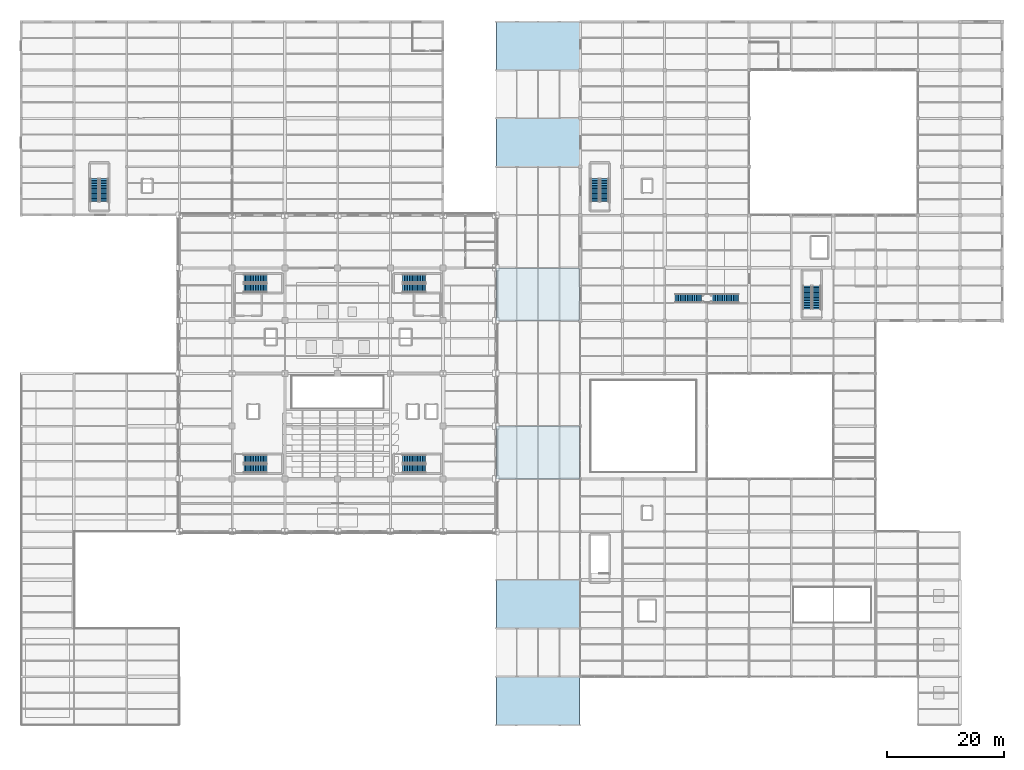
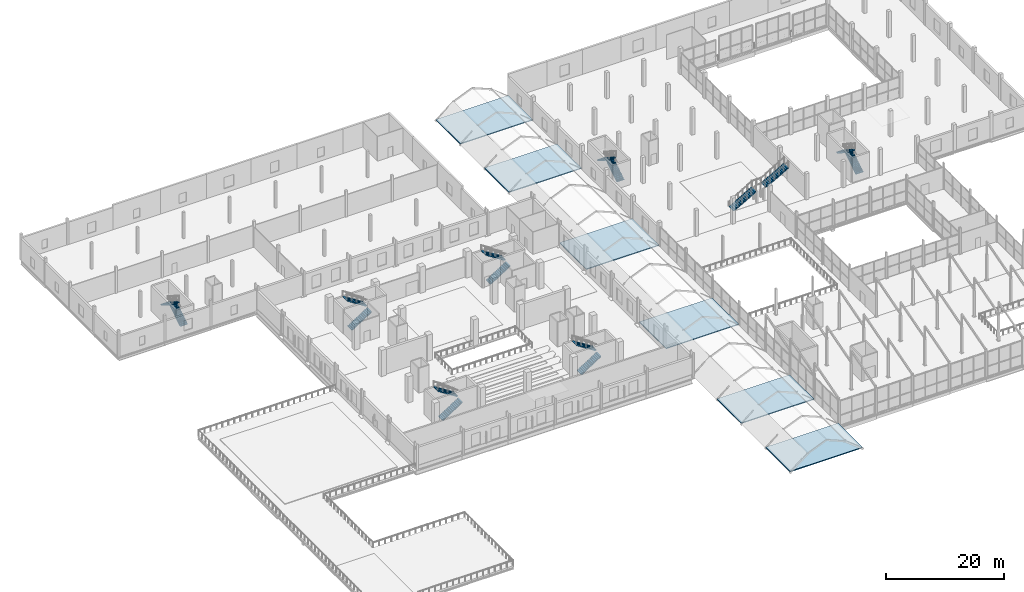
# One storey, part 125 of 141: 16 stair flights, 6 roofs, 8 elements without a shape of their own.
"""IFC4 building model written with IfcOpenShell, lengths in metres."""

import ifcopenshell
import ifcopenshell.guid

model = None  # the IFC model being written
_history = None  # IfcOwnerHistory: only IFC2X3 demands one
_inside = {}  # id of a spatial element -> (the spatial element, [elements in it])
_under = {}  # id of a project, library or spatial element -> (it, [spatial elements below it])
_declared = {}  # id of a project -> (the project, [libraries it declares])
_typed = {}  # id of a type object -> (the type object, [elements of that type])
_made_of = {}  # id of a material, layer set ... -> (it, [elements and type objects made of it])


def new_model(schema):
    """Start an empty IFC model of exactly this schema.

    Asked for "IFC4X3", IfcOpenShell would pick the latest addendum, in which some entities
    have other attributes; the version numbers below select the first issue.
    IFC2X3 requires an IfcOwnerHistory on every rooted entity: one is made here for all.
    """
    global model, _history
    if schema == "IFC4X3":
        model = ifcopenshell.file(schema_version=(4, 3, 0, 0))
    else:
        model = ifcopenshell.file(schema=schema)
    _inside.clear()
    _under.clear()
    _declared.clear()
    _typed.clear()
    _made_of.clear()
    _history = None
    if model.schema == "IFC2X3":
        org = make("IfcOrganization", Name="unknown")
        user = make(
            "IfcPersonAndOrganization",
            ThePerson=make("IfcPerson", FamilyName="unknown"),
            TheOrganization=org,
        )
        app = make(
            "IfcApplication",
            ApplicationDeveloper=org,
            Version="unknown",
            ApplicationFullName="unknown",
            ApplicationIdentifier="unknown",
        )
        _history = make(
            "IfcOwnerHistory",
            OwningUser=user,
            OwningApplication=app,
            ChangeAction="ADDED",
            CreationDate=0,
        )
    return model


def make(cls, **values):
    """One entity of the class cls with the attributes given. An attribute that is None is left unset."""
    return model.create_entity(
        cls, **{name: value for name, value in values.items() if value is not None}
    )


def rooted(cls, **values):
    """An entity with a GlobalId (a new one), such as an element, a storey or a relation."""
    return make(cls, GlobalId=ifcopenshell.guid.new(), OwnerHistory=_history, **values)


def si_unit(unit_type, name, prefix=None):
    """IfcSIUnit, for example si_unit("LENGTHUNIT", "METRE", prefix="MILLI")."""
    return make("IfcSIUnit", UnitType=unit_type, Prefix=prefix, Name=name)


def assignment(units):
    """IfcUnitAssignment: the units of a project."""
    return None if units is None else make("IfcUnitAssignment", Units=units)


def point(xyz):
    """IfcCartesianPoint."""
    return None if xyz is None else make("IfcCartesianPoint", Coordinates=xyz)


def direction(xyz):
    """IfcDirection."""
    return None if xyz is None else make("IfcDirection", DirectionRatios=xyz)


def frame(location, z_axis=None, x_axis=None):
    """IfcAxis2Placement3D, a coordinate frame: its origin and axes. An axis left out is left unset."""
    return make(
        "IfcAxis2Placement3D",
        Location=point(location),
        Axis=direction(z_axis),
        RefDirection=direction(x_axis),
    )


def frame_2d(location, x_axis=None):
    """IfcAxis2Placement2D, a coordinate frame in the plane: its origin and x axis."""
    return make(
        "IfcAxis2Placement2D", Location=point(location), RefDirection=direction(x_axis)
    )


def origin():
    """The frame at (0, 0, 0) with its axes left unset."""
    return frame((0.0, 0.0, 0.0))


def origin_2d():
    """The frame at (0, 0) in the plane with its x axis left unset."""
    return frame_2d((0.0, 0.0))


def place(relative_to, where):
    """IfcLocalPlacement: puts the frame where relative to a parent placement (None: the world)."""
    return make(
        "IfcLocalPlacement", PlacementRelTo=relative_to, RelativePlacement=where
    )


def context(
    kind, dimensions, precision=None, world=None, true_north=None, identifier=None
):
    """IfcGeometricRepresentationContext, for example the 3D "Model" context."""
    return make(
        "IfcGeometricRepresentationContext",
        ContextIdentifier=identifier,
        ContextType=kind,
        CoordinateSpaceDimension=dimensions,
        Precision=precision,
        WorldCoordinateSystem=world,
        TrueNorth=true_north,
    )


def subcontext(parent, identifier, kind, view, scale=None):
    """IfcGeometricRepresentationSubContext, for example "Body" below "Model"."""
    return make(
        "IfcGeometricRepresentationSubContext",
        ContextIdentifier=identifier,
        ContextType=kind,
        ParentContext=parent,
        TargetScale=scale,
        TargetView=view,
    )


def project(units=None, contexts=None):
    """IfcProject with its units and contexts."""
    return rooted(
        "IfcProject",
        Name="project",
        RepresentationContexts=contexts,
        UnitsInContext=assignment(units),
    )


def spatial(cls, under=None, at=None, **own):
    """A site, building, storey or space (cls), placed at a placement, below another one or the project."""
    s = rooted(cls, ObjectPlacement=at, **own)
    if under is not None:
        _under.setdefault(under.id(), (under, []))[1].append(s)
    return s


def polyline(points):
    """IfcPolyline through the points."""
    return make("IfcPolyline", Points=[point(p) for p in points])


def profile(cls, at=None, kind="AREA", **sizes):
    """A parametric profile (cls). Its sizes go by their IFC names, for example OverallWidth=200.0."""
    return make(cls, ProfileType=kind, Position=at, **sizes)


def rectangle(**sizes):
    """IfcRectangleProfileDef."""
    return profile("IfcRectangleProfileDef", **sizes)


def outline(outer, holes=None, kind="AREA"):
    """IfcArbitraryClosedProfileDef: a profile drawn as a closed curve; with holes, ...WithVoids."""
    if holes is None:
        return make("IfcArbitraryClosedProfileDef", ProfileType=kind, OuterCurve=outer)
    return make(
        "IfcArbitraryProfileDefWithVoids",
        ProfileType=kind,
        OuterCurve=outer,
        InnerCurves=holes,
    )


def extrude(swept, where, along, depth):
    """IfcExtrudedAreaSolid: the profile swept, set in the frame where, extruded along a direction by depth."""
    return make(
        "IfcExtrudedAreaSolid",
        SweptArea=swept,
        Position=where,
        ExtrudedDirection=direction(along),
        Depth=depth,
    )


def shape(context_of_items, identifier, shape_type, items):
    """IfcShapeRepresentation: the items that make up one representation, for example the "Body"."""
    return make(
        "IfcShapeRepresentation",
        ContextOfItems=context_of_items,
        RepresentationIdentifier=identifier,
        RepresentationType=shape_type,
        Items=items,
    )


def material(Name=None, Category=None):
    """IfcMaterial."""
    return make("IfcMaterial", Name=Name, Category=Category)


def layer(
    of_material, thickness, ventilated=None, Name=None, Category=None, Priority=None
):
    """IfcMaterialLayer: one layer of a wall or slab, of a material (None: an air gap)."""
    return make(
        "IfcMaterialLayer",
        Material=of_material,
        LayerThickness=thickness,
        IsVentilated=ventilated,
        Name=Name,
        Category=Category,
        Priority=Priority,
    )


def layer_set(layers, Name=None):
    """IfcMaterialLayerSet."""
    return make("IfcMaterialLayerSet", MaterialLayers=layers, LayerSetName=Name)


def made_of(thing, what):
    """Note that an element or type object is made of a material, layer set ...; save() writes the relation."""
    if what is not None:
        _made_of.setdefault(what.id(), (what, []))[1].append(thing)
    return thing


def type_object(cls, material=None, **own):
    """A type object (cls), such as IfcWallType, which elements share."""
    return made_of(rooted(cls, **own), material)


def element(
    cls,
    number,
    at=None,
    inside=None,
    cuts=None,
    type_object=None,
    material=None,
    context=None,
    identifier="Body",
    shape_type=None,
    held_by="IfcProductDefinitionShape",
    body=None,
    shapes=None,
    **own,
):
    """One element of the class cls, such as IfcWall. Its Tag is "e" and its number.

    at: its placement. inside: the storey or other place that contains it. cuts: it is an
    opening in that element (IfcRelVoidsElement). A single representation is given by context,
    identifier, shape_type and body (its items); several are given by shapes. held_by: the class
    of the entity that holds the representations. save() writes the other relations.
    """
    e = rooted(cls, Tag="e%d" % number, ObjectPlacement=at, **own)
    if body is not None:
        shapes = [shape(context, identifier, shape_type, body)]
    if shapes is not None:
        e.Representation = make(held_by, Representations=shapes)
    if inside is not None:
        _inside.setdefault(inside.id(), (inside, []))[1].append(e)
    if cuts is not None:
        rooted(
            "IfcRelVoidsElement", RelatingBuildingElement=cuts, RelatedOpeningElement=e
        )
    if type_object is not None:
        _typed.setdefault(type_object.id(), (type_object, []))[1].append(e)
    return made_of(e, material)


def aggregate(whole, parts):
    """IfcRelAggregates: a whole, such as a stair, and the parts it consists of."""
    return rooted("IfcRelAggregates", RelatingObject=whole, RelatedObjects=parts)


def save(model, path):
    """Write the relations noted so far, then the file.

    IfcRelAggregates (storeys below a building ...), IfcRelContainedInSpatialStructure (elements
    in a storey), IfcRelDefinesByType, IfcRelAssociatesMaterial and IfcRelDeclares: one each for
    every whole, place, type object, material and project.
    """
    for whole, parts in _under.values():
        aggregate(whole, parts)
    for where, things in _inside.values():
        rooted(
            "IfcRelContainedInSpatialStructure",
            RelatedElements=things,
            RelatingStructure=where,
        )
    for kind, things in _typed.values():
        rooted("IfcRelDefinesByType", RelatedObjects=things, RelatingType=kind)
    for what, things in _made_of.values():
        rooted("IfcRelAssociatesMaterial", RelatedObjects=things, RelatingMaterial=what)
    for by, libraries in _declared.values():
        rooted("IfcRelDeclares", RelatingContext=by, RelatedDefinitions=libraries)
    model.write(path)


model = new_model("IFC4")

# Units and contexts
model_context = context("Model", 3, precision=1e-05, world=origin(), true_north=direction((0.0, 1.0)))
body_context = subcontext(model_context, "Body", "Model", "MODEL_VIEW")
ifc_project = project(units=[si_unit("LENGTHUNIT", "METRE"), si_unit("AREAUNIT", "SQUARE_METRE"), si_unit("VOLUMEUNIT", "CUBIC_METRE"), si_unit("PLANEANGLEUNIT", "RADIAN"), si_unit("MASSUNIT", "GRAM", prefix="KILO")], contexts=[model_context])

# Site, building, storey
site_placement = place(None, origin())
site = spatial("IfcSite", under=ifc_project, at=site_placement, CompositionType="ELEMENT")
building_placement = place(site_placement, origin())
building = spatial("IfcBuilding", under=site, at=building_placement, Name="Sundgate Opera House", CompositionType="ELEMENT")
storey_placement = place(building_placement, frame((0.0, 0.0, 11.39990234375)))
storey = spatial("IfcBuildingStorey", under=building, at=storey_placement, Name="L02", CompositionType="ELEMENT", Elevation=11.39990234375)

# Stair, stair flights
ifc_material_1 = material(Name="Concrete C35/45", Category="concrete")
stair_type_1 = type_object("IfcStairType", Name="ST-HT-30R-1450", PredefinedType="HALF_TURN_STAIR", material=ifc_material_1)
stair_1_placement = place(storey_placement, origin())
stair_1 = element("IfcStair", 1, at=stair_1_placement, inside=storey, type_object=stair_type_1, Name="L02 Escape Stair ST-01", PredefinedType="HALF_TURN_STAIR")
ifc_material_2 = material(Name="Concrete C35/45", Category="concrete")
stair_flight_type_1 = type_object("IfcStairFlightType", Name="SF-STR-15R-1450", PredefinedType="STRAIGHT", material=ifc_material_2)
stair_flight_1_placement = place(storey_placement, frame((38.0, 43.77490234375, 0.0), z_axis=(0.0, 0.0, 1.0), x_axis=(1.0, 0.0, 0.0)))
stair_flight_1 = element("IfcStairFlight", 2, at=stair_flight_1_placement, type_object=stair_flight_type_1, Name="ST01L02 Flight 1", NumberOfRisers=15, NumberOfTreads=14, PredefinedType="STRAIGHT", RiserHeight=0.18, TreadLength=0.28, context=body_context, shape_type="SweptSolid", body=[
    extrude(outline(polyline([(0.0, 0.0), (0.0, 0.179931640625), (0.280029296875, 0.179931640625), (0.280029296875, 0.360107421875), (0.56005859375, 0.360107421875), (0.56005859375, 0.5400390625), (0.840087890625, 0.5400390625), (0.840087890625, 0.719970703125), (1.1201171875, 0.719970703125), (1.1201171875, 0.89990234375), (1.39990234375, 0.89990234375), (1.39990234375, 1.080078125), (1.679931640625, 1.080078125), (1.679931640625, 1.260009765625), (1.9599609375, 1.260009765625), (1.9599609375, 1.43994140625), (2.239990234375, 1.43994140625), (2.239990234375, 1.6201171875), (2.52001953125, 1.6201171875), (2.52001953125, 1.800048828125), (2.800048828125, 1.800048828125), (2.800048828125, 1.97998046875), (3.080078125, 1.97998046875), (3.080078125, 2.159912109375), (3.360107421875, 2.159912109375), (3.360107421875, 2.340087890625), (3.639892578125, 2.340087890625), (3.639892578125, 2.52001953125), (3.919921875, 2.52001953125), (3.919921875, 2.699951171875), (3.919921875, 2.341796875), (0.277099609375, 0.0), (0.0, 0.0)])), frame((0.0, 0.72509765625, 0.0), z_axis=(0.0, -1.0, 0.0), x_axis=(1.0, 0.0, 0.0)), (0.0, 0.0, 1.0), 1.449951171875),
])
stair_flight_2_placement = place(storey_placement, frame((41.919921875, 45.375, 2.7001953125), z_axis=(0.0, 0.0, 1.0), x_axis=(-1.0, 0.0, 0.0)))
stair_flight_2 = element("IfcStairFlight", 3, at=stair_flight_2_placement, type_object=stair_flight_type_1, Name="ST01L02 Flight 2", NumberOfRisers=15, NumberOfTreads=14, PredefinedType="STRAIGHT", RiserHeight=0.18, TreadLength=0.28, context=body_context, shape_type="SweptSolid", body=[
    extrude(outline(polyline([(0.0, 0.0), (0.0, 0.179931640625), (0.280029296875, 0.179931640625), (0.280029296875, 0.360107421875), (0.56005859375, 0.360107421875), (0.56005859375, 0.5400390625), (0.840087890625, 0.5400390625), (0.840087890625, 0.719970703125), (1.1201171875, 0.719970703125), (1.1201171875, 0.89990234375), (1.39990234375, 0.89990234375), (1.39990234375, 1.080078125), (1.679931640625, 1.080078125), (1.679931640625, 1.260009765625), (1.9599609375, 1.260009765625), (1.9599609375, 1.43994140625), (2.239990234375, 1.43994140625), (2.239990234375, 1.6201171875), (2.52001953125, 1.6201171875), (2.52001953125, 1.800048828125), (2.800048828125, 1.800048828125), (2.800048828125, 1.97998046875), (3.080078125, 1.97998046875), (3.080078125, 2.159912109375), (3.360107421875, 2.159912109375), (3.360107421875, 2.340087890625), (3.639892578125, 2.340087890625), (3.639892578125, 2.52001953125), (3.919921875, 2.52001953125), (3.919921875, 2.699951171875), (3.919921875, 2.341796875), (0.277099609375, 0.0), (0.0, 0.0)])), frame((0.0, 0.72509765625, 0.0), z_axis=(0.0, -1.0, 0.0), x_axis=(1.0, 0.0, 0.0)), (0.0, 0.0, 1.0), 1.449951171875),
])
aggregate(stair_1, [stair_flight_1, stair_flight_2])

stair_2_placement = place(storey_placement, origin())
stair_2 = element("IfcStair", 4, at=stair_2_placement, inside=storey, type_object=stair_type_1, Name="L02 Escape Stair ST-02", PredefinedType="HALF_TURN_STAIR")
stair_flight_3_placement = place(storey_placement, frame((38.0, 74.574951171875, 0.0), z_axis=(0.0, 0.0, 1.0), x_axis=(1.0, 0.0, 0.0)))
stair_flight_3 = element("IfcStairFlight", 5, at=stair_flight_3_placement, type_object=stair_flight_type_1, Name="ST02L02 Flight 1", NumberOfRisers=15, NumberOfTreads=14, PredefinedType="STRAIGHT", RiserHeight=0.18, TreadLength=0.28, context=body_context, shape_type="SweptSolid", body=[
    extrude(outline(polyline([(0.0, 0.0), (0.0, 0.179931640625), (0.280029296875, 0.179931640625), (0.280029296875, 0.360107421875), (0.56005859375, 0.360107421875), (0.56005859375, 0.5400390625), (0.840087890625, 0.5400390625), (0.840087890625, 0.719970703125), (1.1201171875, 0.719970703125), (1.1201171875, 0.89990234375), (1.39990234375, 0.89990234375), (1.39990234375, 1.080078125), (1.679931640625, 1.080078125), (1.679931640625, 1.260009765625), (1.9599609375, 1.260009765625), (1.9599609375, 1.43994140625), (2.239990234375, 1.43994140625), (2.239990234375, 1.6201171875), (2.52001953125, 1.6201171875), (2.52001953125, 1.800048828125), (2.800048828125, 1.800048828125), (2.800048828125, 1.97998046875), (3.080078125, 1.97998046875), (3.080078125, 2.159912109375), (3.360107421875, 2.159912109375), (3.360107421875, 2.340087890625), (3.639892578125, 2.340087890625), (3.639892578125, 2.52001953125), (3.919921875, 2.52001953125), (3.919921875, 2.699951171875), (3.919921875, 2.341796875), (0.277099609375, 0.0), (0.0, 0.0)])), frame((0.0, 0.72509765625, 0.0), z_axis=(0.0, -1.0, 0.0), x_axis=(1.0, 0.0, 0.0)), (0.0, 0.0, 1.0), 1.449951171875),
])
stair_flight_4_placement = place(storey_placement, frame((41.919921875, 76.175048828125, 2.7001953125), z_axis=(0.0, 0.0, 1.0), x_axis=(-1.0, 0.0, 0.0)))
stair_flight_4 = element("IfcStairFlight", 6, at=stair_flight_4_placement, type_object=stair_flight_type_1, Name="ST02L02 Flight 2", NumberOfRisers=15, NumberOfTreads=14, PredefinedType="STRAIGHT", RiserHeight=0.18, TreadLength=0.28, context=body_context, shape_type="SweptSolid", body=[
    extrude(outline(polyline([(0.0, 0.0), (0.0, 0.179931640625), (0.280029296875, 0.179931640625), (0.280029296875, 0.360107421875), (0.56005859375, 0.360107421875), (0.56005859375, 0.5400390625), (0.840087890625, 0.5400390625), (0.840087890625, 0.719970703125), (1.1201171875, 0.719970703125), (1.1201171875, 0.89990234375), (1.39990234375, 0.89990234375), (1.39990234375, 1.080078125), (1.679931640625, 1.080078125), (1.679931640625, 1.260009765625), (1.9599609375, 1.260009765625), (1.9599609375, 1.43994140625), (2.239990234375, 1.43994140625), (2.239990234375, 1.6201171875), (2.52001953125, 1.6201171875), (2.52001953125, 1.800048828125), (2.800048828125, 1.800048828125), (2.800048828125, 1.97998046875), (3.080078125, 1.97998046875), (3.080078125, 2.159912109375), (3.360107421875, 2.159912109375), (3.360107421875, 2.340087890625), (3.639892578125, 2.340087890625), (3.639892578125, 2.52001953125), (3.919921875, 2.52001953125), (3.919921875, 2.699951171875), (3.919921875, 2.341796875), (0.277099609375, 0.0), (0.0, 0.0)])), frame((0.0, 0.72509765625, 0.0), z_axis=(0.0, -1.0, 0.0), x_axis=(1.0, 0.0, 0.0)), (0.0, 0.0, 1.0), 1.449951171875),
])
aggregate(stair_2, [stair_flight_3, stair_flight_4])

stair_3_placement = place(storey_placement, origin())
stair_3 = element("IfcStair", 7, at=stair_3_placement, inside=storey, type_object=stair_type_1, Name="L02 Escape Stair ST-03", PredefinedType="HALF_TURN_STAIR")
stair_flight_5_placement = place(storey_placement, frame((65.10009765625, 43.77490234375, 0.0), z_axis=(0.0, 0.0, 1.0), x_axis=(1.0, 0.0, 0.0)))
stair_flight_5 = element("IfcStairFlight", 8, at=stair_flight_5_placement, type_object=stair_flight_type_1, Name="ST03L02 Flight 1", NumberOfRisers=15, NumberOfTreads=14, PredefinedType="STRAIGHT", RiserHeight=0.18, TreadLength=0.28, context=body_context, shape_type="SweptSolid", body=[
    extrude(outline(polyline([(0.0, 0.0), (0.0, 0.179931640625), (0.280029296875, 0.179931640625), (0.280029296875, 0.360107421875), (0.56005859375, 0.360107421875), (0.56005859375, 0.5400390625), (0.840087890625, 0.5400390625), (0.840087890625, 0.719970703125), (1.1201171875, 0.719970703125), (1.1201171875, 0.89990234375), (1.39990234375, 0.89990234375), (1.39990234375, 1.080078125), (1.679931640625, 1.080078125), (1.679931640625, 1.260009765625), (1.9599609375, 1.260009765625), (1.9599609375, 1.43994140625), (2.239990234375, 1.43994140625), (2.239990234375, 1.6201171875), (2.52001953125, 1.6201171875), (2.52001953125, 1.800048828125), (2.800048828125, 1.800048828125), (2.800048828125, 1.97998046875), (3.080078125, 1.97998046875), (3.080078125, 2.159912109375), (3.360107421875, 2.159912109375), (3.360107421875, 2.340087890625), (3.639892578125, 2.340087890625), (3.639892578125, 2.52001953125), (3.919921875, 2.52001953125), (3.919921875, 2.699951171875), (3.919921875, 2.341796875), (0.277099609375, 0.0), (0.0, 0.0)])), frame((0.0, 0.72509765625, 0.0), z_axis=(0.0, -1.0, 0.0), x_axis=(1.0, 0.0, 0.0)), (0.0, 0.0, 1.0), 1.449951171875),
])
stair_flight_6_placement = place(storey_placement, frame((69.02001953125, 45.375, 2.7001953125), z_axis=(0.0, 0.0, 1.0), x_axis=(-1.0, 0.0, 0.0)))
stair_flight_6 = element("IfcStairFlight", 9, at=stair_flight_6_placement, type_object=stair_flight_type_1, Name="ST03L02 Flight 2", NumberOfRisers=15, NumberOfTreads=14, PredefinedType="STRAIGHT", RiserHeight=0.18, TreadLength=0.28, context=body_context, shape_type="SweptSolid", body=[
    extrude(outline(polyline([(0.0, 0.0), (0.0, 0.179931640625), (0.280029296875, 0.179931640625), (0.280029296875, 0.360107421875), (0.56005859375, 0.360107421875), (0.56005859375, 0.5400390625), (0.840087890625, 0.5400390625), (0.840087890625, 0.719970703125), (1.1201171875, 0.719970703125), (1.1201171875, 0.89990234375), (1.39990234375, 0.89990234375), (1.39990234375, 1.080078125), (1.679931640625, 1.080078125), (1.679931640625, 1.260009765625), (1.9599609375, 1.260009765625), (1.9599609375, 1.43994140625), (2.239990234375, 1.43994140625), (2.239990234375, 1.6201171875), (2.52001953125, 1.6201171875), (2.52001953125, 1.800048828125), (2.800048828125, 1.800048828125), (2.800048828125, 1.97998046875), (3.080078125, 1.97998046875), (3.080078125, 2.159912109375), (3.360107421875, 2.159912109375), (3.360107421875, 2.340087890625), (3.639892578125, 2.340087890625), (3.639892578125, 2.52001953125), (3.919921875, 2.52001953125), (3.919921875, 2.699951171875), (3.919921875, 2.341796875), (0.277099609375, 0.0), (0.0, 0.0)])), frame((0.0, 0.72509765625, 0.0), z_axis=(0.0, -1.0, 0.0), x_axis=(1.0, 0.0, 0.0)), (0.0, 0.0, 1.0), 1.449951171875),
])
aggregate(stair_3, [stair_flight_5, stair_flight_6])

stair_4_placement = place(storey_placement, origin())
stair_4 = element("IfcStair", 10, at=stair_4_placement, inside=storey, type_object=stair_type_1, Name="L02 Escape Stair ST-04", PredefinedType="HALF_TURN_STAIR")
stair_flight_7_placement = place(storey_placement, frame((65.10009765625, 74.574951171875, 0.0), z_axis=(0.0, 0.0, 1.0), x_axis=(1.0, 0.0, 0.0)))
stair_flight_7 = element("IfcStairFlight", 11, at=stair_flight_7_placement, type_object=stair_flight_type_1, Name="ST04L02 Flight 1", NumberOfRisers=15, NumberOfTreads=14, PredefinedType="STRAIGHT", RiserHeight=0.18, TreadLength=0.28, context=body_context, shape_type="SweptSolid", body=[
    extrude(outline(polyline([(0.0, 0.0), (0.0, 0.179931640625), (0.280029296875, 0.179931640625), (0.280029296875, 0.360107421875), (0.56005859375, 0.360107421875), (0.56005859375, 0.5400390625), (0.840087890625, 0.5400390625), (0.840087890625, 0.719970703125), (1.1201171875, 0.719970703125), (1.1201171875, 0.89990234375), (1.39990234375, 0.89990234375), (1.39990234375, 1.080078125), (1.679931640625, 1.080078125), (1.679931640625, 1.260009765625), (1.9599609375, 1.260009765625), (1.9599609375, 1.43994140625), (2.239990234375, 1.43994140625), (2.239990234375, 1.6201171875), (2.52001953125, 1.6201171875), (2.52001953125, 1.800048828125), (2.800048828125, 1.800048828125), (2.800048828125, 1.97998046875), (3.080078125, 1.97998046875), (3.080078125, 2.159912109375), (3.360107421875, 2.159912109375), (3.360107421875, 2.340087890625), (3.639892578125, 2.340087890625), (3.639892578125, 2.52001953125), (3.919921875, 2.52001953125), (3.919921875, 2.699951171875), (3.919921875, 2.341796875), (0.277099609375, 0.0), (0.0, 0.0)])), frame((0.0, 0.72509765625, 0.0), z_axis=(0.0, -1.0, 0.0), x_axis=(1.0, 0.0, 0.0)), (0.0, 0.0, 1.0), 1.449951171875),
])
stair_flight_8_placement = place(storey_placement, frame((69.02001953125, 76.175048828125, 2.7001953125), z_axis=(0.0, 0.0, 1.0), x_axis=(-1.0, 0.0, 0.0)))
stair_flight_8 = element("IfcStairFlight", 12, at=stair_flight_8_placement, type_object=stair_flight_type_1, Name="ST04L02 Flight 2", NumberOfRisers=15, NumberOfTreads=14, PredefinedType="STRAIGHT", RiserHeight=0.18, TreadLength=0.28, context=body_context, shape_type="SweptSolid", body=[
    extrude(outline(polyline([(0.0, 0.0), (0.0, 0.179931640625), (0.280029296875, 0.179931640625), (0.280029296875, 0.360107421875), (0.56005859375, 0.360107421875), (0.56005859375, 0.5400390625), (0.840087890625, 0.5400390625), (0.840087890625, 0.719970703125), (1.1201171875, 0.719970703125), (1.1201171875, 0.89990234375), (1.39990234375, 0.89990234375), (1.39990234375, 1.080078125), (1.679931640625, 1.080078125), (1.679931640625, 1.260009765625), (1.9599609375, 1.260009765625), (1.9599609375, 1.43994140625), (2.239990234375, 1.43994140625), (2.239990234375, 1.6201171875), (2.52001953125, 1.6201171875), (2.52001953125, 1.800048828125), (2.800048828125, 1.800048828125), (2.800048828125, 1.97998046875), (3.080078125, 1.97998046875), (3.080078125, 2.159912109375), (3.360107421875, 2.159912109375), (3.360107421875, 2.340087890625), (3.639892578125, 2.340087890625), (3.639892578125, 2.52001953125), (3.919921875, 2.52001953125), (3.919921875, 2.699951171875), (3.919921875, 2.341796875), (0.277099609375, 0.0), (0.0, 0.0)])), frame((0.0, 0.72509765625, 0.0), z_axis=(0.0, -1.0, 0.0), x_axis=(1.0, 0.0, 0.0)), (0.0, 0.0, 1.0), 1.449951171875),
])
aggregate(stair_4, [stair_flight_7, stair_flight_8])

stair_5_placement = place(storey_placement, origin())
stair_5 = element("IfcStair", 13, at=stair_5_placement, inside=storey, type_object=stair_type_1, Name="L02 Escape Stair ST-05", PredefinedType="HALF_TURN_STAIR")
stair_flight_9_placement = place(storey_placement, frame((99.52490234375, 89.300048828125, 0.0), z_axis=(0.0, 0.0, 1.0), x_axis=(0.0, 1.0, 0.0)))
stair_flight_9 = element("IfcStairFlight", 14, at=stair_flight_9_placement, type_object=stair_flight_type_1, Name="ST05L02 Flight 1", NumberOfRisers=15, NumberOfTreads=14, PredefinedType="STRAIGHT", RiserHeight=0.18, TreadLength=0.28, context=body_context, shape_type="SweptSolid", body=[
    extrude(outline(polyline([(0.0, 0.0), (0.0, 0.179931640625), (0.280029296875, 0.179931640625), (0.280029296875, 0.360107421875), (0.56005859375, 0.360107421875), (0.56005859375, 0.5400390625), (0.840087890625, 0.5400390625), (0.840087890625, 0.719970703125), (1.1201171875, 0.719970703125), (1.1201171875, 0.89990234375), (1.39990234375, 0.89990234375), (1.39990234375, 1.080078125), (1.679931640625, 1.080078125), (1.679931640625, 1.260009765625), (1.9599609375, 1.260009765625), (1.9599609375, 1.43994140625), (2.239990234375, 1.43994140625), (2.239990234375, 1.6201171875), (2.52001953125, 1.6201171875), (2.52001953125, 1.800048828125), (2.800048828125, 1.800048828125), (2.800048828125, 1.97998046875), (3.080078125, 1.97998046875), (3.080078125, 2.159912109375), (3.360107421875, 2.159912109375), (3.360107421875, 2.340087890625), (3.639892578125, 2.340087890625), (3.639892578125, 2.52001953125), (3.919921875, 2.52001953125), (3.919921875, 2.699951171875), (3.919921875, 2.341796875), (0.277099609375, 0.0), (0.0, 0.0)])), frame((0.0, 0.72509765625, 0.0), z_axis=(0.0, -1.0, 0.0), x_axis=(1.0, 0.0, 0.0)), (0.0, 0.0, 1.0), 1.449951171875),
])
stair_flight_10_placement = place(storey_placement, frame((97.925048828125, 93.219970703125, 2.7001953125), z_axis=(0.0, 0.0, 1.0), x_axis=(0.0, -1.0, 0.0)))
stair_flight_10 = element("IfcStairFlight", 15, at=stair_flight_10_placement, type_object=stair_flight_type_1, Name="ST05L02 Flight 2", NumberOfRisers=15, NumberOfTreads=14, PredefinedType="STRAIGHT", RiserHeight=0.18, TreadLength=0.28, context=body_context, shape_type="SweptSolid", body=[
    extrude(outline(polyline([(0.0, 0.0), (0.0, 0.179931640625), (0.280029296875, 0.179931640625), (0.280029296875, 0.360107421875), (0.56005859375, 0.360107421875), (0.56005859375, 0.5400390625), (0.840087890625, 0.5400390625), (0.840087890625, 0.719970703125), (1.1201171875, 0.719970703125), (1.1201171875, 0.89990234375), (1.39990234375, 0.89990234375), (1.39990234375, 1.080078125), (1.679931640625, 1.080078125), (1.679931640625, 1.260009765625), (1.9599609375, 1.260009765625), (1.9599609375, 1.43994140625), (2.239990234375, 1.43994140625), (2.239990234375, 1.6201171875), (2.52001953125, 1.6201171875), (2.52001953125, 1.800048828125), (2.800048828125, 1.800048828125), (2.800048828125, 1.97998046875), (3.080078125, 1.97998046875), (3.080078125, 2.159912109375), (3.360107421875, 2.159912109375), (3.360107421875, 2.340087890625), (3.639892578125, 2.340087890625), (3.639892578125, 2.52001953125), (3.919921875, 2.52001953125), (3.919921875, 2.699951171875), (3.919921875, 2.341796875), (0.277099609375, 0.0), (0.0, 0.0)])), frame((0.0, 0.72509765625, 0.0), z_axis=(0.0, -1.0, 0.0), x_axis=(1.0, 0.0, 0.0)), (0.0, 0.0, 1.0), 1.449951171875),
])
aggregate(stair_5, [stair_flight_9, stair_flight_10])

stair_6_placement = place(storey_placement, origin())
stair_6 = element("IfcStair", 16, at=stair_6_placement, inside=storey, type_object=stair_type_1, Name="L02 Escape Stair ST-06", PredefinedType="HALF_TURN_STAIR")
stair_flight_11_placement = place(storey_placement, frame((135.72509765625, 71.0, 0.0), z_axis=(0.0, 0.0, 1.0), x_axis=(0.0, 1.0, 0.0)))
stair_flight_11 = element("IfcStairFlight", 17, at=stair_flight_11_placement, type_object=stair_flight_type_1, Name="ST06L02 Flight 1", NumberOfRisers=15, NumberOfTreads=14, PredefinedType="STRAIGHT", RiserHeight=0.18, TreadLength=0.28, context=body_context, shape_type="SweptSolid", body=[
    extrude(outline(polyline([(0.0, 0.0), (0.0, 0.179931640625), (0.280029296875, 0.179931640625), (0.280029296875, 0.360107421875), (0.56005859375, 0.360107421875), (0.56005859375, 0.5400390625), (0.840087890625, 0.5400390625), (0.840087890625, 0.719970703125), (1.1201171875, 0.719970703125), (1.1201171875, 0.89990234375), (1.39990234375, 0.89990234375), (1.39990234375, 1.080078125), (1.679931640625, 1.080078125), (1.679931640625, 1.260009765625), (1.9599609375, 1.260009765625), (1.9599609375, 1.43994140625), (2.239990234375, 1.43994140625), (2.239990234375, 1.6201171875), (2.52001953125, 1.6201171875), (2.52001953125, 1.800048828125), (2.800048828125, 1.800048828125), (2.800048828125, 1.97998046875), (3.080078125, 1.97998046875), (3.080078125, 2.159912109375), (3.360107421875, 2.159912109375), (3.360107421875, 2.340087890625), (3.639892578125, 2.340087890625), (3.639892578125, 2.52001953125), (3.919921875, 2.52001953125), (3.919921875, 2.699951171875), (3.919921875, 2.341796875), (0.277099609375, 0.0), (0.0, 0.0)])), frame((0.0, 0.72509765625, 0.0), z_axis=(0.0, -1.0, 0.0), x_axis=(1.0, 0.0, 0.0)), (0.0, 0.0, 1.0), 1.449951171875),
])
stair_flight_12_placement = place(storey_placement, frame((134.125, 74.919921875, 2.7001953125), z_axis=(0.0, 0.0, 1.0), x_axis=(0.0, -1.0, 0.0)))
stair_flight_12 = element("IfcStairFlight", 18, at=stair_flight_12_placement, type_object=stair_flight_type_1, Name="ST06L02 Flight 2", NumberOfRisers=15, NumberOfTreads=14, PredefinedType="STRAIGHT", RiserHeight=0.18, TreadLength=0.28, context=body_context, shape_type="SweptSolid", body=[
    extrude(outline(polyline([(0.0, 0.0), (0.0, 0.179931640625), (0.280029296875, 0.179931640625), (0.280029296875, 0.360107421875), (0.56005859375, 0.360107421875), (0.56005859375, 0.5400390625), (0.840087890625, 0.5400390625), (0.840087890625, 0.719970703125), (1.1201171875, 0.719970703125), (1.1201171875, 0.89990234375), (1.39990234375, 0.89990234375), (1.39990234375, 1.080078125), (1.679931640625, 1.080078125), (1.679931640625, 1.260009765625), (1.9599609375, 1.260009765625), (1.9599609375, 1.43994140625), (2.239990234375, 1.43994140625), (2.239990234375, 1.6201171875), (2.52001953125, 1.6201171875), (2.52001953125, 1.800048828125), (2.800048828125, 1.800048828125), (2.800048828125, 1.97998046875), (3.080078125, 1.97998046875), (3.080078125, 2.159912109375), (3.360107421875, 2.159912109375), (3.360107421875, 2.340087890625), (3.639892578125, 2.340087890625), (3.639892578125, 2.52001953125), (3.919921875, 2.52001953125), (3.919921875, 2.699951171875), (3.919921875, 2.341796875), (0.277099609375, 0.0), (0.0, 0.0)])), frame((0.0, 0.72509765625, 0.0), z_axis=(0.0, -1.0, 0.0), x_axis=(1.0, 0.0, 0.0)), (0.0, 0.0, 1.0), 1.449951171875),
])
aggregate(stair_6, [stair_flight_11, stair_flight_12])

stair_7_placement = place(storey_placement, origin())
stair_7 = element("IfcStair", 19, at=stair_7_placement, inside=storey, type_object=stair_type_1, Name="L02 Escape Stair ST-08", PredefinedType="HALF_TURN_STAIR")
stair_flight_13_placement = place(storey_placement, frame((14.125, 89.300048828125, 0.0), z_axis=(0.0, 0.0, 1.0), x_axis=(0.0, 1.0, 0.0)))
stair_flight_13 = element("IfcStairFlight", 20, at=stair_flight_13_placement, type_object=stair_flight_type_1, Name="ST08L02 Flight 1", NumberOfRisers=15, NumberOfTreads=14, PredefinedType="STRAIGHT", RiserHeight=0.18, TreadLength=0.28, context=body_context, shape_type="SweptSolid", body=[
    extrude(outline(polyline([(0.0, 0.0), (0.0, 0.179931640625), (0.280029296875, 0.179931640625), (0.280029296875, 0.360107421875), (0.56005859375, 0.360107421875), (0.56005859375, 0.5400390625), (0.840087890625, 0.5400390625), (0.840087890625, 0.719970703125), (1.1201171875, 0.719970703125), (1.1201171875, 0.89990234375), (1.39990234375, 0.89990234375), (1.39990234375, 1.080078125), (1.679931640625, 1.080078125), (1.679931640625, 1.260009765625), (1.9599609375, 1.260009765625), (1.9599609375, 1.43994140625), (2.239990234375, 1.43994140625), (2.239990234375, 1.6201171875), (2.52001953125, 1.6201171875), (2.52001953125, 1.800048828125), (2.800048828125, 1.800048828125), (2.800048828125, 1.97998046875), (3.080078125, 1.97998046875), (3.080078125, 2.159912109375), (3.360107421875, 2.159912109375), (3.360107421875, 2.340087890625), (3.639892578125, 2.340087890625), (3.639892578125, 2.52001953125), (3.919921875, 2.52001953125), (3.919921875, 2.699951171875), (3.919921875, 2.341796875), (0.277099609375, 0.0), (0.0, 0.0)])), frame((0.0, 0.72509765625, 0.0), z_axis=(0.0, -1.0, 0.0), x_axis=(1.0, 0.0, 0.0)), (0.0, 0.0, 1.0), 1.449951171875),
])
stair_flight_14_placement = place(storey_placement, frame((12.52490234375, 93.219970703125, 2.7001953125), z_axis=(0.0, 0.0, 1.0), x_axis=(0.0, -1.0, 0.0)))
stair_flight_14 = element("IfcStairFlight", 21, at=stair_flight_14_placement, type_object=stair_flight_type_1, Name="ST08L02 Flight 2", NumberOfRisers=15, NumberOfTreads=14, PredefinedType="STRAIGHT", RiserHeight=0.18, TreadLength=0.28, context=body_context, shape_type="SweptSolid", body=[
    extrude(outline(polyline([(0.0, 0.0), (0.0, 0.179931640625), (0.280029296875, 0.179931640625), (0.280029296875, 0.360107421875), (0.56005859375, 0.360107421875), (0.56005859375, 0.5400390625), (0.840087890625, 0.5400390625), (0.840087890625, 0.719970703125), (1.1201171875, 0.719970703125), (1.1201171875, 0.89990234375), (1.39990234375, 0.89990234375), (1.39990234375, 1.080078125), (1.679931640625, 1.080078125), (1.679931640625, 1.260009765625), (1.9599609375, 1.260009765625), (1.9599609375, 1.43994140625), (2.239990234375, 1.43994140625), (2.239990234375, 1.6201171875), (2.52001953125, 1.6201171875), (2.52001953125, 1.800048828125), (2.800048828125, 1.800048828125), (2.800048828125, 1.97998046875), (3.080078125, 1.97998046875), (3.080078125, 2.159912109375), (3.360107421875, 2.159912109375), (3.360107421875, 2.340087890625), (3.639892578125, 2.340087890625), (3.639892578125, 2.52001953125), (3.919921875, 2.52001953125), (3.919921875, 2.699951171875), (3.919921875, 2.341796875), (0.277099609375, 0.0), (0.0, 0.0)])), frame((0.0, 0.72509765625, 0.0), z_axis=(0.0, -1.0, 0.0), x_axis=(1.0, 0.0, 0.0)), (0.0, 0.0, 1.0), 1.449951171875),
])
aggregate(stair_7, [stair_flight_13, stair_flight_14])

ifc_material_3 = material(Name="Concrete C35/45", Category="concrete")
stair_type_2 = type_object("IfcStairType", Name="ST-SR-32R-1500", PredefinedType="STRAIGHT_RUN_STAIR", material=ifc_material_3)
stair_8_placement = place(storey_placement, origin())
stair_8 = element("IfcStair", 22, at=stair_8_placement, inside=storey, type_object=stair_type_2, Name="Orchestra Observation Gallery Straight Stair", PredefinedType="STRAIGHT_RUN_STAIR")
ifc_material_4 = material(Name="Concrete C35/45", Category="concrete")
stair_flight_type_2 = type_object("IfcStairFlightType", Name="SF-STR-16R-1500", PredefinedType="STRAIGHT", material=ifc_material_4)
stair_flight_15_placement = place(storey_placement, frame((111.590087890625, 72.800048828125, 0.0), z_axis=(0.0, 0.0, 1.0), x_axis=(1.0, 0.0, 0.0)))
stair_flight_15 = element("IfcStairFlight", 23, at=stair_flight_15_placement, type_object=stair_flight_type_2, Name="Orchestra Observation Gallery Straight Stair Flight 1", NumberOfRisers=16, NumberOfTreads=15, PredefinedType="STRAIGHT", RiserHeight=0.16875, TreadLength=0.3, context=body_context, shape_type="SweptSolid", body=[
    extrude(outline(polyline([(0.0, 0.0), (0.0, 0.168701171875), (0.300048828125, 0.168701171875), (0.300048828125, 0.33740234375), (0.60009765625, 0.33740234375), (0.60009765625, 0.50634765625), (0.89990234375, 0.50634765625), (0.89990234375, 0.675048828125), (1.199951171875, 0.675048828125), (1.199951171875, 0.84375), (1.5, 0.84375), (1.5, 1.012451171875), (1.800048828125, 1.012451171875), (1.800048828125, 1.18115234375), (2.10009765625, 1.18115234375), (2.10009765625, 1.35009765625), (2.39990234375, 1.35009765625), (2.39990234375, 1.518798828125), (2.699951171875, 1.518798828125), (2.699951171875, 1.6875), (3.0, 1.6875), (3.0, 1.856201171875), (3.300048828125, 1.856201171875), (3.300048828125, 2.02490234375), (3.60009765625, 2.02490234375), (3.60009765625, 2.19384765625), (3.89990234375, 2.19384765625), (3.89990234375, 2.362548828125), (4.199951171875, 2.362548828125), (4.199951171875, 2.53125), (4.5, 2.53125), (4.5, 2.699951171875), (4.5, 2.32470703125), (0.366943359375, 0.0), (0.0, 0.0)])), frame((0.0, 0.75, 0.0), z_axis=(0.0, -1.0, 0.0), x_axis=(1.0, 0.0, 0.0)), (0.0, 0.0, 1.0), 1.5),
])
stair_flight_16_placement = place(storey_placement, frame((117.907958984375, 72.800048828125, 2.7001953125), z_axis=(0.0, 0.0, 1.0), x_axis=(1.0, 0.0, 0.0)))
stair_flight_16 = element("IfcStairFlight", 24, at=stair_flight_16_placement, type_object=stair_flight_type_2, Name="Orchestra Observation Gallery Straight Stair Flight 2", NumberOfRisers=16, NumberOfTreads=15, PredefinedType="STRAIGHT", RiserHeight=0.16875, TreadLength=0.3, context=body_context, shape_type="SweptSolid", body=[
    extrude(outline(polyline([(0.0, 0.0), (0.0, 0.168701171875), (0.300048828125, 0.168701171875), (0.300048828125, 0.33740234375), (0.60009765625, 0.33740234375), (0.60009765625, 0.50634765625), (0.89990234375, 0.50634765625), (0.89990234375, 0.675048828125), (1.199951171875, 0.675048828125), (1.199951171875, 0.84375), (1.5, 0.84375), (1.5, 1.012451171875), (1.800048828125, 1.012451171875), (1.800048828125, 1.18115234375), (2.10009765625, 1.18115234375), (2.10009765625, 1.35009765625), (2.39990234375, 1.35009765625), (2.39990234375, 1.518798828125), (2.699951171875, 1.518798828125), (2.699951171875, 1.6875), (3.0, 1.6875), (3.0, 1.856201171875), (3.300048828125, 1.856201171875), (3.300048828125, 2.02490234375), (3.60009765625, 2.02490234375), (3.60009765625, 2.19384765625), (3.89990234375, 2.19384765625), (3.89990234375, 2.362548828125), (4.199951171875, 2.362548828125), (4.199951171875, 2.53125), (4.5, 2.53125), (4.5, 2.699951171875), (4.5, 2.32470703125), (0.366943359375, 0.0), (0.0, 0.0)])), frame((0.0, 0.75, 0.0), z_axis=(0.0, -1.0, 0.0), x_axis=(1.0, 0.0, 0.0)), (0.0, 0.0, 1.0), 1.5),
])
aggregate(stair_8, [stair_flight_15, stair_flight_16])

# Roofs
ifc_material_5 = material(Name="Concrete C35/45", Category="concrete")
ifc_layer = layer(ifc_material_5, 0.179931640625)
ifc_layer_set = layer_set([ifc_layer], Name="Concrete C35/45")
roof_type = type_object("IfcRoofType", Name="RF-BARREL-180", PredefinedType="BARREL_ROOF", material=ifc_layer_set)
for number, where, z_axis, x_axis, name in (
    (25, (88.199951171875, 4.125, 0.39013671875), (0.0, 0.0, 1.0), (1.0, 0.0, 0.0), "Passage South Portal Barrel Roof"),
    (26, (88.199951171875, 20.625, 0.39013671875), (0.0, 0.0, 1.0), (1.0, 0.0, 0.0), "Passage Workshop Portal Barrel Roof"),
):
    element("IfcRoof", number, at=place(storey_placement, frame(where, z_axis=z_axis, x_axis=x_axis)), inside=storey, type_object=roof_type, Name=name, PredefinedType="BARREL_ROOF", context=body_context, shape_type="SweptSolid", body=[
        extrude(rectangle(XDim=14.199951171875, YDim=8.25, at=origin_2d()), origin(), (0.0, 0.0, 1.0), 0.179931640625),
    ])
for number, where, z_axis, x_axis, name in (
    (27, (88.199951171875, 46.5, 0.39013671875), (0.0, 0.0, 1.0), (1.0, 0.0, 0.0), "Passage Grand Foyer Barrel Roof"),
    (28, (88.199951171875, 73.5, 0.39013671875), (0.0, 0.0, 1.0), (1.0, 0.0, 0.0), "Passage Stage Portal Barrel Roof"),
):
    element("IfcRoof", number, at=place(storey_placement, frame(where, z_axis=z_axis, x_axis=x_axis)), inside=storey, type_object=roof_type, Name=name, PredefinedType="BARREL_ROOF", context=body_context, shape_type="SweptSolid", body=[
        extrude(rectangle(XDim=14.199951171875, YDim=9.0, at=origin_2d()), origin(), (0.0, 0.0, 1.0), 0.179931640625),
    ])
for number, where, z_axis, x_axis, name in (
    (29, (88.199951171875, 99.375, 0.39013671875), (0.0, 0.0, 1.0), (1.0, 0.0, 0.0), "Passage Conservatory Barrel Roof"),
    (30, (88.199951171875, 115.875, 0.39013671875), (0.0, 0.0, 1.0), (1.0, 0.0, 0.0), "Passage North Plaza Barrel Roof"),
):
    element("IfcRoof", number, at=place(storey_placement, frame(where, z_axis=z_axis, x_axis=x_axis)), inside=storey, type_object=roof_type, Name=name, PredefinedType="BARREL_ROOF", context=body_context, shape_type="SweptSolid", body=[
        extrude(rectangle(XDim=14.199951171875, YDim=8.25, at=origin_2d()), origin(), (0.0, 0.0, 1.0), 0.179931640625),
    ])

save(model, "model.ifc")
